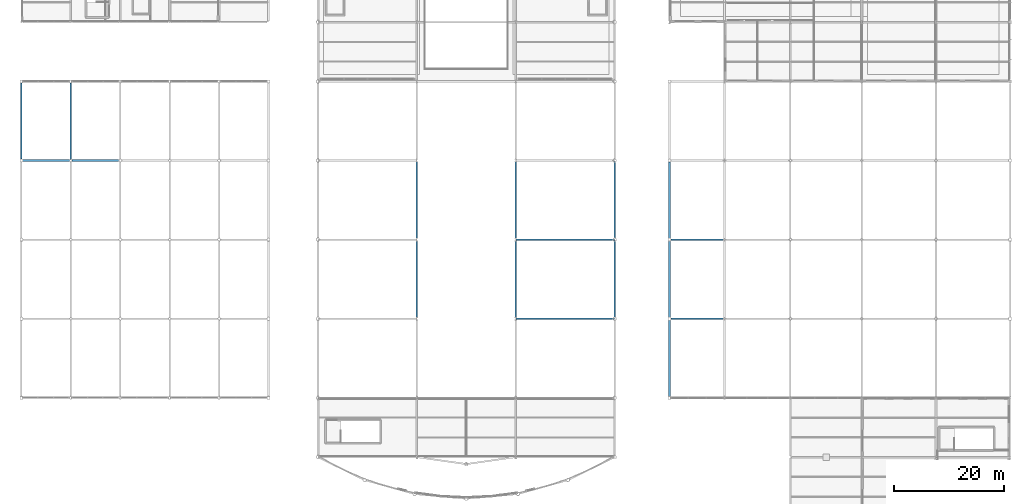
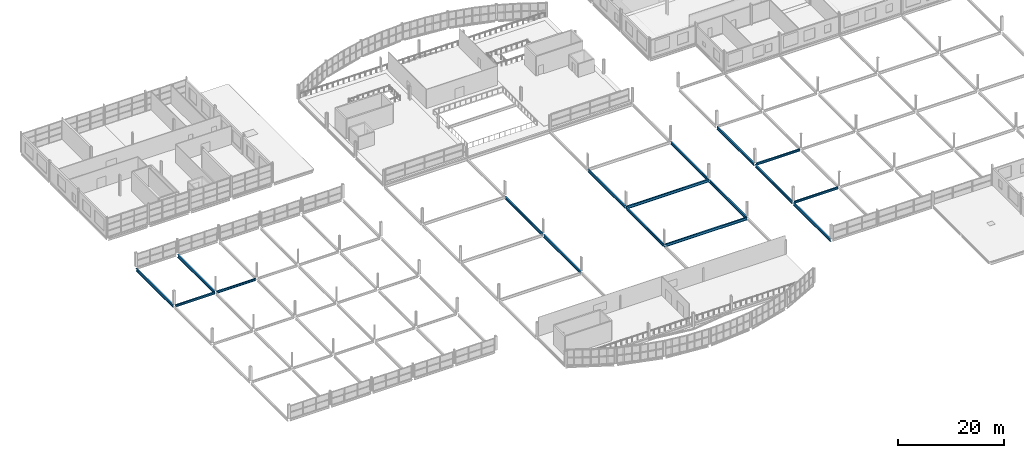
# One storey, part 36 of 134: 17 beams.
"""IFC4 building model written with IfcOpenShell, lengths in metres."""

from ifc_helpers import new_model, si_unit, direction, frame, origin, origin_2d, place, context, subcontext, project, spatial, i_section, extrude, material, material_profile, profile_set, type_object, element, save


model = new_model("IFC4")

# Units and contexts
model_context = context("Model", 3, precision=1e-05, world=origin(), true_north=direction((0.0, 1.0)))
body_context = subcontext(model_context, "Body", "Model", "MODEL_VIEW")
ifc_project = project(units=[si_unit("LENGTHUNIT", "METRE"), si_unit("AREAUNIT", "SQUARE_METRE"), si_unit("VOLUMEUNIT", "CUBIC_METRE"), si_unit("PLANEANGLEUNIT", "RADIAN"), si_unit("MASSUNIT", "GRAM", prefix="KILO")], contexts=[model_context])

# Site, building, storey
site_placement = place(None, origin())
site = spatial("IfcSite", under=ifc_project, at=site_placement, CompositionType="ELEMENT")
building_placement = place(site_placement, origin())
building = spatial("IfcBuilding", under=site, at=building_placement, Name="Tamarisk Ironworks Central Station", CompositionType="ELEMENT")
storey_placement = place(building_placement, frame((0.0, 0.0, 12.60009765625)))
storey = spatial("IfcBuildingStorey", under=building, at=storey_placement, Name="L02", CompositionType="ELEMENT", Elevation=12.60009765625)

# Beams
ifc_material = material(Name="Structural steel S355J2", Category="steel")
ifc_material_profile_1 = material_profile(ifc_material, i_section(OverallWidth=0.300048828125, OverallDepth=0.639892578125, WebThickness=0.013427734375, FlangeThickness=0.02587890625, at=origin_2d()), Name="HEA 650")
ifc_profile_set_1 = profile_set([ifc_material_profile_1], Name="Structural steel S355J2")
beam_type_1 = type_object("IfcBeamType", Name="BM-G02", PredefinedType="BEAM", material=ifc_profile_set_1)
for number, where, z_axis, x_axis, name in (
    (1, (90.00390625, 36.0, -0.60009765625), (1.0, 0.0, 0.0), (0.0, 1.0, 0.0), "L02 primary girder X-0325"),
    (2, (90.00390625, 50.39990234375, -0.60009765625), (1.0, 0.0, 0.0), (0.0, 1.0, 0.0), "L02 primary girder X-0337"),
):
    element("IfcBeam", number, at=place(storey_placement, frame(where, z_axis=z_axis, x_axis=x_axis)), inside=storey, type_object=beam_type_1, Name=name, PredefinedType="BEAM", context=body_context, shape_type="SweptSolid", body=[
        extrude(i_section(OverallWidth=0.300048828125, OverallDepth=0.639892578125, WebThickness=0.013427734375, FlangeThickness=0.02587890625, at=origin_2d()), origin(), (0.0, 0.0, 1.0), 17.9921875),
    ])
beam_1_placement = place(storey_placement, frame((0.0, 65.0380859375, -0.570068359375), z_axis=(0.0, 1.0, 0.0), x_axis=(-1.0, 0.0, 0.0)))
element("IfcBeam", 3, at=beam_1_placement, inside=storey, type_object=beam_type_1, Name="L02 primary girder Y-0419", PredefinedType="BEAM", context=body_context, shape_type="SweptSolid", body=[
    extrude(i_section(OverallWidth=0.300048828125, OverallDepth=0.639892578125, WebThickness=0.013427734375, FlangeThickness=0.02587890625, at=origin_2d()), origin(), (0.0, 0.0, 1.0), 13.923828125),
])
beam_2_placement = place(storey_placement, frame((9.0, 64.9912109375, -0.570068359375), z_axis=(0.0, 1.0, 0.0), x_axis=(-1.0, 0.0, 0.0)))
element("IfcBeam", 4, at=beam_2_placement, inside=storey, type_object=beam_type_1, Name="L02 primary girder Y-0426", PredefinedType="BEAM", context=body_context, shape_type="SweptSolid", body=[
    extrude(i_section(OverallWidth=0.300048828125, OverallDepth=0.639892578125, WebThickness=0.013427734375, FlangeThickness=0.02587890625, at=origin_2d()), origin(), (0.0, 0.0, 1.0), 13.966796875),
])
for number, where, z_axis, x_axis, name in (
    (5, (72.0, 36.196044921875, -0.60009765625), (0.0, 1.0, 0.0), (-1.0, 0.0, 0.0), "L02 primary girder Y-0466"),
    (6, (72.0, 50.595947265625, -0.60009765625), (0.0, 1.0, 0.0), (-1.0, 0.0, 0.0), "L02 primary girder Y-0467"),
    (7, (90.0, 36.196044921875, -0.60009765625), (0.0, 1.0, 0.0), (-1.0, 0.0, 0.0), "L02 primary girder Y-0474"),
    (8, (90.0, 50.595947265625, -0.60009765625), (0.0, 1.0, 0.0), (-1.0, 0.0, 0.0), "L02 primary girder Y-0475"),
    (9, (108.0, 36.196044921875, -0.60009765625), (0.0, 1.0, 0.0), (-1.0, 0.0, 0.0), "L02 primary girder Y-0482"),
    (10, (108.0, 50.595947265625, -0.60009765625), (0.0, 1.0, 0.0), (-1.0, 0.0, 0.0), "L02 primary girder Y-0483"),
):
    element("IfcBeam", number, at=place(storey_placement, frame(where, z_axis=z_axis, x_axis=x_axis)), inside=storey, type_object=beam_type_1, Name=name, PredefinedType="BEAM", context=body_context, shape_type="SweptSolid", body=[
        extrude(i_section(OverallWidth=0.300048828125, OverallDepth=0.639892578125, WebThickness=0.013427734375, FlangeThickness=0.02587890625, at=origin_2d()), origin(), (0.0, 0.0, 1.0), 14.008056640625),
    ])
for number, where, z_axis, x_axis, name in (
    (11, (118.0, 21.837890625, -0.570068359375), (0.0, 1.0, 0.0), (-1.0, 0.0, 0.0), "L02 primary girder Y-0488"),
    (12, (118.0, 36.238037109375, -0.570068359375), (0.0, 1.0, 0.0), (-1.0, 0.0, 0.0), "L02 primary girder Y-0489"),
    (13, (118.0, 50.637939453125, -0.570068359375), (0.0, 1.0, 0.0), (-1.0, 0.0, 0.0), "L02 primary girder Y-0490"),
):
    element("IfcBeam", number, at=place(storey_placement, frame(where, z_axis=z_axis, x_axis=x_axis)), inside=storey, type_object=beam_type_1, Name=name, PredefinedType="BEAM", context=body_context, shape_type="SweptSolid", body=[
        extrude(i_section(OverallWidth=0.300048828125, OverallDepth=0.639892578125, WebThickness=0.013427734375, FlangeThickness=0.02587890625, at=origin_2d()), origin(), (0.0, 0.0, 1.0), 13.924072265625),
    ])
ifc_material_profile_2 = material_profile(ifc_material, i_section(OverallWidth=0.300048828125, OverallDepth=0.489990234375, WebThickness=0.011962890625, FlangeThickness=0.02294921875, at=origin_2d()), Name="HEA 500")
ifc_profile_set_2 = profile_set([ifc_material_profile_2], Name="Structural steel S355J2")
beam_type_2 = type_object("IfcBeamType", Name="BM-G05", PredefinedType="BEAM", material=ifc_profile_set_2)
for number, where, z_axis, x_axis, name in (
    (14, (118.238037109375, 36.0, -0.4951171875), (1.0, 0.0, 0.0), (0.0, 1.0, 0.0), "L02 primary girder X-0326"),
    (15, (118.238037109375, 50.39990234375, -0.4951171875), (1.0, 0.0, 0.0), (0.0, 1.0, 0.0), "L02 primary girder X-0338"),
):
    element("IfcBeam", number, at=place(storey_placement, frame(where, z_axis=z_axis, x_axis=x_axis)), inside=storey, type_object=beam_type_2, Name=name, PredefinedType="BEAM", context=body_context, shape_type="SweptSolid", body=[
        extrude(i_section(OverallWidth=0.300048828125, OverallDepth=0.489990234375, WebThickness=0.011962890625, FlangeThickness=0.02294921875, at=origin_2d()), origin(), (0.0, 0.0, 1.0), 9.57080078125),
    ])
beam_3_placement = place(storey_placement, frame((0.238037109375, 64.800048828125, -0.4951171875), z_axis=(1.0, 0.0, 0.0), x_axis=(0.0, 1.0, 0.0)))
element("IfcBeam", 16, at=beam_3_placement, inside=storey, type_object=beam_type_2, Name="L02 primary girder X-0343", PredefinedType="BEAM", context=body_context, shape_type="SweptSolid", body=[
    extrude(i_section(OverallWidth=0.300048828125, OverallDepth=0.489990234375, WebThickness=0.011962890625, FlangeThickness=0.02294921875, at=origin_2d()), origin(), (0.0, 0.0, 1.0), 8.57080078125),
])
beam_4_placement = place(storey_placement, frame((9.191162109375, 64.800048828125, -0.4951171875), z_axis=(1.0, 0.0, 0.0), x_axis=(0.0, 1.0, 0.0)))
element("IfcBeam", 17, at=beam_4_placement, inside=storey, type_object=beam_type_2, Name="L02 primary girder X-0344", PredefinedType="BEAM", context=body_context, shape_type="SweptSolid", body=[
    extrude(i_section(OverallWidth=0.300048828125, OverallDepth=0.489990234375, WebThickness=0.011962890625, FlangeThickness=0.02294921875, at=origin_2d()), origin(), (0.0, 0.0, 1.0), 8.56689453125),
])

save(model, "model.ifc")
